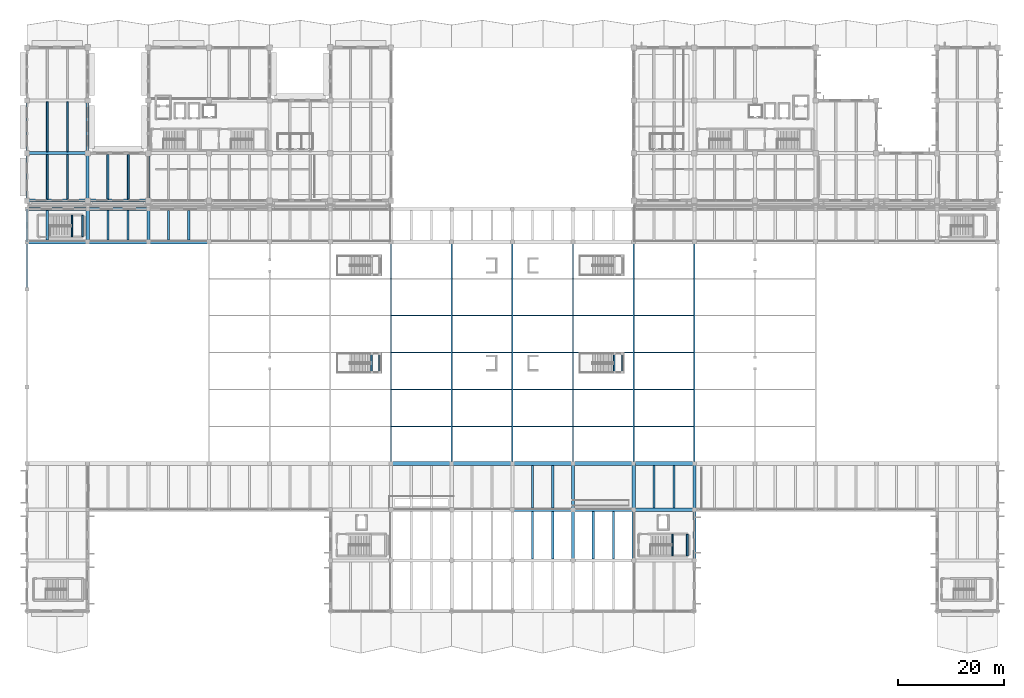
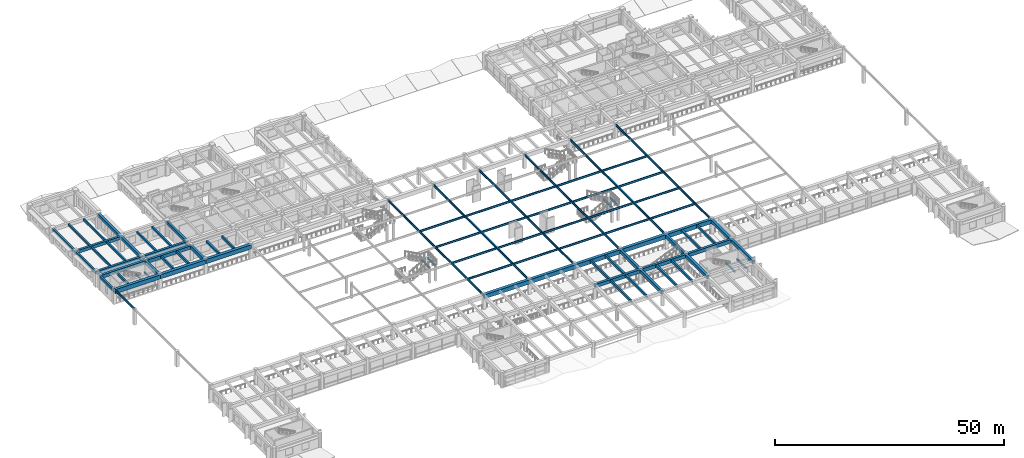
# One storey, part 19 of 98: 84 beams.
"""IFC4 building model written with IfcOpenShell, lengths in metres."""

from ifc_helpers import new_model, si_unit, direction, frame, origin, origin_2d, place, context, subcontext, project, spatial, rectangle, i_section, extrude, material, material_profile, profile_set, type_object, element, save


model = new_model("IFC4")

# Units and contexts
model_context = context("Model", 3, precision=1e-05, world=origin(), true_north=direction((0.0, 1.0)))
body_context = subcontext(model_context, "Body", "Model", "MODEL_VIEW")
ifc_project = project(units=[si_unit("LENGTHUNIT", "METRE"), si_unit("AREAUNIT", "SQUARE_METRE"), si_unit("VOLUMEUNIT", "CUBIC_METRE"), si_unit("PLANEANGLEUNIT", "RADIAN"), si_unit("MASSUNIT", "GRAM", prefix="KILO")], contexts=[model_context])

# Site, building, storey
site_placement = place(None, origin())
site = spatial("IfcSite", under=ifc_project, at=site_placement, CompositionType="ELEMENT")
building_placement = place(site_placement, origin())
building = spatial("IfcBuilding", under=site, at=building_placement, Name="Ologun Quay Terminus", CompositionType="ELEMENT")
storey_placement = place(building_placement, frame((0.0, 0.0, 4.199951171875)))
storey = spatial("IfcBuildingStorey", under=building, at=storey_placement, Name="L01", CompositionType="ELEMENT", Elevation=4.199951171875)

# Beams
ifc_material_1 = material(Name="Concrete C45/55", Category="concrete")
ifc_material_profile_1 = material_profile(ifc_material_1, rectangle(XDim=0.75, YDim=1.10009765625, at=origin_2d()), Name="RC 750x1100")
ifc_profile_set_1 = profile_set([ifc_material_profile_1], Name="Concrete C45/55")
beam_type_1 = type_object("IfcBeamType", Name="Concourse Primary Girder 750x1100", PredefinedType="BEAM", material=ifc_profile_set_1)
for number, where, z_axis, x_axis, name in (
    (1, (69.0, 36.0, 3.300048828125), (1.0, 0.0, 0.0), (0.0, 1.0, 0.0), "B2 Beam 7/E L01"),
    (2, (80.5, 36.0, 3.300048828125), (1.0, 0.0, 0.0), (0.0, 1.0, 0.0), "B2 Beam 8/E L01"),
    (3, (92.0, 36.0, 3.300048828125), (1.0, 0.0, 0.0), (0.0, 1.0, 0.0), "B2 Beam 9/E L01"),
    (4, (103.5, 36.0, 3.300048828125), (1.0, 0.0, 0.0), (0.0, 1.0, 0.0), "B2 Beam 10/E L01"),
    (5, (115.0, 36.0, 3.300048828125), (1.0, 0.0, 0.0), (0.0, 1.0, 0.0), "B2 Beam 11/E L01"),
    (6, (0.0, 78.0, 3.300048828125), (1.0, 0.0, 0.0), (0.0, 1.0, 0.0), "B2 Beam 1/F L01"),
    (7, (11.5, 78.0, 3.300048828125), (1.0, 0.0, 0.0), (0.0, 1.0, 0.0), "B2 Beam 2/F L01"),
    (8, (23.0, 78.0, 3.300048828125), (1.0, 0.0, 0.0), (0.0, 1.0, 0.0), "B2 Beam 3/F L01"),
):
    element("IfcBeam", number, at=place(storey_placement, frame(where, z_axis=z_axis, x_axis=x_axis)), inside=storey, type_object=beam_type_1, Name=name, PredefinedType="BEAM", context=body_context, shape_type="SweptSolid", body=[
        extrude(rectangle(XDim=0.75, YDim=1.10009765625, at=origin_2d()), origin(), (0.0, 0.0, 1.0), 11.5),
    ])
ifc_material_2 = material(Name="Steel S355", Category="steel")
ifc_material_profile_2 = material_profile(ifc_material_2, i_section(OverallWidth=0.209228515625, OverallDepth=0.533203125, WebThickness=0.010009765625, FlangeThickness=0.015625, at=origin_2d()), Name="UKB 533x210x92")
ifc_profile_set_2 = profile_set([ifc_material_profile_2], Name="Steel S355")
beam_type_2 = type_object("IfcBeamType", Name="Concourse Steel Secondary Beam UKB533", PredefinedType="BEAM", material=ifc_profile_set_2)
for number, where, z_axis, x_axis, name in (
    (9, (69.114013671875, 43.0, 3.58349609375), (1.0, 0.0, 0.0), (0.0, 1.0, 0.0), "SB2 Beam 7/E L01"),
    (10, (69.114013671875, 50.0, 3.58349609375), (1.0, 0.0, 0.0), (0.0, 1.0, 0.0), "SB2 Beam 7/E L01"),
    (11, (69.114013671875, 57.0, 3.58349609375), (1.0, 0.0, 0.0), (0.0, 1.0, 0.0), "SB2 Beam 7/E L01"),
    (12, (69.114013671875, 64.0, 3.58349609375), (1.0, 0.0, 0.0), (0.0, 1.0, 0.0), "SB2 Beam 7/E L01"),
    (13, (80.614013671875, 43.0, 3.58349609375), (1.0, 0.0, 0.0), (0.0, 1.0, 0.0), "SB2 Beam 8/E L01"),
    (14, (80.614013671875, 50.0, 3.58349609375), (1.0, 0.0, 0.0), (0.0, 1.0, 0.0), "SB2 Beam 8/E L01"),
    (15, (80.614013671875, 57.0, 3.58349609375), (1.0, 0.0, 0.0), (0.0, 1.0, 0.0), "SB2 Beam 8/E L01"),
    (16, (80.614013671875, 64.0, 3.58349609375), (1.0, 0.0, 0.0), (0.0, 1.0, 0.0), "SB2 Beam 8/E L01"),
    (17, (92.114013671875, 43.0, 3.58349609375), (1.0, 0.0, 0.0), (0.0, 1.0, 0.0), "SB2 Beam 9/E L01"),
    (18, (92.114013671875, 50.0, 3.58349609375), (1.0, 0.0, 0.0), (0.0, 1.0, 0.0), "SB2 Beam 9/E L01"),
    (19, (92.114013671875, 57.0, 3.58349609375), (1.0, 0.0, 0.0), (0.0, 1.0, 0.0), "SB2 Beam 9/E L01"),
    (20, (92.114013671875, 64.0, 3.58349609375), (1.0, 0.0, 0.0), (0.0, 1.0, 0.0), "SB2 Beam 9/E L01"),
    (21, (103.614013671875, 43.0, 3.58349609375), (1.0, 0.0, 0.0), (0.0, 1.0, 0.0), "SB2 Beam 10/E L01"),
    (22, (103.614013671875, 50.0, 3.58349609375), (1.0, 0.0, 0.0), (0.0, 1.0, 0.0), "SB2 Beam 10/E L01"),
    (23, (103.614013671875, 57.0, 3.58349609375), (1.0, 0.0, 0.0), (0.0, 1.0, 0.0), "SB2 Beam 10/E L01"),
    (24, (103.614013671875, 64.0, 3.58349609375), (1.0, 0.0, 0.0), (0.0, 1.0, 0.0), "SB2 Beam 10/E L01"),
    (25, (115.114013671875, 43.0, 3.58349609375), (1.0, 0.0, 0.0), (0.0, 1.0, 0.0), "SB2 Beam 11/E L01"),
    (26, (115.114013671875, 50.0, 3.58349609375), (1.0, 0.0, 0.0), (0.0, 1.0, 0.0), "SB2 Beam 11/E L01"),
    (27, (115.114013671875, 57.0, 3.58349609375), (1.0, 0.0, 0.0), (0.0, 1.0, 0.0), "SB2 Beam 11/E L01"),
    (28, (115.114013671875, 64.0, 3.58349609375), (1.0, 0.0, 0.0), (0.0, 1.0, 0.0), "SB2 Beam 11/E L01"),
):
    element("IfcBeam", number, at=place(storey_placement, frame(where, z_axis=z_axis, x_axis=x_axis)), inside=storey, type_object=beam_type_2, Name=name, PredefinedType="BEAM", context=body_context, shape_type="SweptSolid", body=[
        extrude(i_section(OverallWidth=0.209228515625, OverallDepth=0.533203125, WebThickness=0.010009765625, FlangeThickness=0.015625, at=origin_2d()), origin(), (0.0, 0.0, 1.0), 11.27197265625),
    ])
ifc_material_3 = material(Name="Steel S355", Category="steel")
ifc_material_profile_3 = material_profile(ifc_material_3, i_section(OverallWidth=0.228271484375, OverallDepth=0.607666015625, WebThickness=0.010986328125, FlangeThickness=0.017333984375, at=origin_2d()), Name="UKB 610x229x113")
ifc_profile_set_3 = profile_set([ifc_material_profile_3], Name="Steel S355")
beam_type_3 = type_object("IfcBeamType", Name="Concourse Steel Spine Girder UKB610", PredefinedType="BEAM", material=ifc_profile_set_3)
beam_1_placement = place(storey_placement, frame((0.0, 69.0, 3.896240234375), z_axis=(0.0, 1.0, 0.0), x_axis=(-1.0, 0.0, 0.0)))
element("IfcBeam", 29, at=beam_1_placement, inside=storey, type_object=beam_type_3, Name="SB1 Beam 1/E L01", PredefinedType="BEAM", context=body_context, shape_type="SweptSolid", body=[
    extrude(i_section(OverallWidth=0.228271484375, OverallDepth=0.607666015625, WebThickness=0.010986328125, FlangeThickness=0.017333984375, at=origin_2d()), origin(), (0.0, 0.0, 1.0), 9.0),
])
for number, where, z_axis, x_axis, name in (
    (30, (69.0, 36.0, 3.546142578125), (0.0, 1.0, 0.0), (-1.0, 0.0, 0.0), "SB1 Beam 7/E L01"),
    (31, (80.5, 36.0, 3.546142578125), (0.0, 1.0, 0.0), (-1.0, 0.0, 0.0), "SB1 Beam 8/E L01"),
    (32, (92.0, 36.0, 3.546142578125), (0.0, 1.0, 0.0), (-1.0, 0.0, 0.0), "SB1 Beam 9/E L01"),
    (33, (103.5, 36.0, 3.546142578125), (0.0, 1.0, 0.0), (-1.0, 0.0, 0.0), "SB1 Beam 10/E L01"),
    (34, (115.0, 36.0, 3.546142578125), (0.0, 1.0, 0.0), (-1.0, 0.0, 0.0), "SB1 Beam 11/E L01"),
    (35, (126.5, 36.0, 3.546142578125), (0.0, 1.0, 0.0), (-1.0, 0.0, 0.0), "SB1 Beam 12/E L01"),
):
    element("IfcBeam", number, at=place(storey_placement, frame(where, z_axis=z_axis, x_axis=x_axis)), inside=storey, type_object=beam_type_3, Name=name, PredefinedType="BEAM", context=body_context, shape_type="SweptSolid", body=[
        extrude(i_section(OverallWidth=0.228271484375, OverallDepth=0.607666015625, WebThickness=0.010986328125, FlangeThickness=0.017333984375, at=origin_2d()), origin(), (0.0, 0.0, 1.0), 42.0),
    ])
ifc_material_4 = material(Name="Concrete C40/50", Category="concrete")
ifc_material_profile_4 = material_profile(ifc_material_4, rectangle(XDim=0.300048828125, YDim=0.449951171875, at=origin_2d()), Name="RC 300x450")
ifc_profile_set_4 = profile_set([ifc_material_profile_4], Name="Concrete C40/50")
beam_type_4 = type_object("IfcBeamType", Name="Core Coupling Lintel Beam 300x450", PredefinedType="LINTEL", material=ifc_profile_set_4)
for number, where, z_axis, x_axis, name in (
    (36, (65.300048828125, 53.25, 1.695068359375), (0.0, 1.0, 0.0), (-1.0, 0.0, 0.0), "LN1 Beam 6/E L01"),
    (37, (66.85009765625, 53.25, 1.695068359375), (0.0, 1.0, 0.0), (-1.0, 0.0, 0.0), "LN1 Beam 6/E L01"),
    (38, (111.300048828125, 53.25, 1.695068359375), (0.0, 1.0, 0.0), (-1.0, 0.0, 0.0), "LN1 Beam 10/E L01"),
    (39, (112.85009765625, 53.25, 1.695068359375), (0.0, 1.0, 0.0), (-1.0, 0.0, 0.0), "LN1 Beam 10/E L01"),
):
    element("IfcBeam", number, at=place(storey_placement, frame(where, z_axis=z_axis, x_axis=x_axis)), inside=storey, type_object=beam_type_4, Name=name, PredefinedType="LINTEL", context=body_context, shape_type="SweptSolid", body=[
        extrude(rectangle(XDim=0.300048828125, YDim=0.449951171875, at=origin_2d()), origin(), (0.0, 0.0, 1.0), 3.5),
    ])
for number, where, z_axis, x_axis, name in (
    (40, (122.340087890625, 18.47998046875, 1.695068359375), (0.0, 1.0, 0.0), (-1.0, 0.0, 0.0), "LN1 Half-Landing Ledger Beam ST-S4-W L01"),
    (41, (125.159912109375, 18.47998046875, 1.695068359375), (0.0, 1.0, 0.0), (-1.0, 0.0, 0.0), "LN1 Half-Landing Ledger Beam ST-S4-E L01"),
    (42, (8.489990234375, 78.97998046875, 1.695068359375), (0.0, 1.0, 0.0), (-1.0, 0.0, 0.0), "LN1 Half-Landing Ledger Beam ST-NG1-W L01"),
    (43, (10.510009765625, 78.97998046875, 1.695068359375), (0.0, 1.0, 0.0), (-1.0, 0.0, 0.0), "LN1 Half-Landing Ledger Beam ST-NG1-E L01"),
):
    element("IfcBeam", number, at=place(storey_placement, frame(where, z_axis=z_axis, x_axis=x_axis)), inside=storey, type_object=beam_type_4, Name=name, PredefinedType="LINTEL", context=body_context, shape_type="SweptSolid", body=[
        extrude(rectangle(XDim=0.300048828125, YDim=0.449951171875, at=origin_2d()), origin(), (0.0, 0.0, 1.0), 4.0400390625),
    ])
ifc_material_5 = material(Name="Concrete C40/50", Category="concrete")
ifc_material_profile_5 = material_profile(ifc_material_5, rectangle(XDim=0.550048828125, YDim=0.800048828125, at=origin_2d()), Name="RC 550x800")
ifc_profile_set_5 = profile_set([ifc_material_profile_5], Name="Concrete C40/50")
beam_type_5 = type_object("IfcBeamType", Name="Courtyard Wing Primary Girder 550x800", PredefinedType="BEAM", material=ifc_profile_set_5)
for number, where, z_axis, x_axis, name in (
    (44, (0.0, 85.800048828125, 3.550048828125), (1.0, 0.0, 0.0), (0.0, 1.0, 0.0), "B4 Beam 1/G2 L01"),
    (45, (11.5, 85.800048828125, 3.550048828125), (1.0, 0.0, 0.0), (0.0, 1.0, 0.0), "B4 Beam 2/G2 L01"),
    (46, (0.0, 94.800048828125, 3.550048828125), (1.0, 0.0, 0.0), (0.0, 1.0, 0.0), "B4 Beam 1/H L01"),
):
    element("IfcBeam", number, at=place(storey_placement, frame(where, z_axis=z_axis, x_axis=x_axis)), inside=storey, type_object=beam_type_5, Name=name, PredefinedType="BEAM", context=body_context, shape_type="SweptSolid", body=[
        extrude(rectangle(XDim=0.550048828125, YDim=0.800048828125, at=origin_2d()), origin(), (0.0, 0.0, 1.0), 11.5),
    ])
beam_2_placement = place(storey_placement, frame((11.5, 85.800048828125, 3.550048828125), z_axis=(0.0, 1.0, 0.0), x_axis=(-1.0, 0.0, 0.0)))
element("IfcBeam", 47, at=beam_2_placement, inside=storey, type_object=beam_type_5, Name="B4 Beam 2/G2 L01", PredefinedType="BEAM", context=body_context, shape_type="SweptSolid", body=[
    extrude(rectangle(XDim=0.550048828125, YDim=0.800048828125, at=origin_2d()), origin(), (0.0, 0.0, 1.0), 9.0),
])
beam_3_placement = place(storey_placement, frame((11.5, 94.800048828125, 3.550048828125), z_axis=(0.0, 1.0, 0.0), x_axis=(-1.0, 0.0, 0.0)))
element("IfcBeam", 48, at=beam_3_placement, inside=storey, type_object=beam_type_5, Name="B4 Beam 2/H L01", PredefinedType="BEAM", context=body_context, shape_type="SweptSolid", body=[
    extrude(rectangle(XDim=0.550048828125, YDim=0.800048828125, at=origin_2d()), origin(), (0.0, 0.0, 1.0), 10.0),
])
beam_4_placement = place(storey_placement, frame((23.0, 85.800048828125, 3.550048828125), z_axis=(0.0, 1.0, 0.0), x_axis=(-1.0, 0.0, 0.0)))
element("IfcBeam", 49, at=beam_4_placement, inside=storey, type_object=beam_type_5, Name="B4 Beam 3/G2 L01", PredefinedType="BEAM", context=body_context, shape_type="SweptSolid", body=[
    extrude(rectangle(XDim=0.550048828125, YDim=0.800048828125, at=origin_2d()), origin(), (0.0, 0.0, 1.0), 9.0),
])
ifc_material_6 = material(Name="Concrete C40/50", Category="concrete")
ifc_material_profile_6 = material_profile(ifc_material_6, rectangle(XDim=0.35009765625, YDim=0.550048828125, at=origin_2d()), Name="RC 350x550")
ifc_profile_set_6 = profile_set([ifc_material_profile_6], Name="Concrete C40/50")
beam_type_6 = type_object("IfcBeamType", Name="Courtyard Wing Secondary Joist 350x550", PredefinedType="JOIST", material=ifc_profile_set_6)
for number, where, z_axis, x_axis, name in (
    (50, (3.833251953125, 86.074951171875, 3.675048828125), (0.0, 1.0, 0.0), (-1.0, 0.0, 0.0), "J2 Beam 1/G2 L01"),
    (51, (7.666748046875, 86.074951171875, 3.675048828125), (0.0, 1.0, 0.0), (-1.0, 0.0, 0.0), "J2 Beam 1/G2 L01"),
):
    element("IfcBeam", number, at=place(storey_placement, frame(where, z_axis=z_axis, x_axis=x_axis)), inside=storey, type_object=beam_type_6, Name=name, PredefinedType="JOIST", context=body_context, shape_type="SweptSolid", body=[
        extrude(rectangle(XDim=0.35009765625, YDim=0.550048828125, at=origin_2d()), origin(), (0.0, 0.0, 1.0), 8.449951171875),
    ])
for number, where, z_axis, x_axis, name in (
    (52, (3.833251953125, 95.074951171875, 3.675048828125), (0.0, 1.0, 0.0), (-1.0, 0.0, 0.0), "J2 Beam 1/H L01"),
    (53, (7.666748046875, 95.074951171875, 3.675048828125), (0.0, 1.0, 0.0), (-1.0, 0.0, 0.0), "J2 Beam 1/H L01"),
):
    element("IfcBeam", number, at=place(storey_placement, frame(where, z_axis=z_axis, x_axis=x_axis)), inside=storey, type_object=beam_type_6, Name=name, PredefinedType="JOIST", context=body_context, shape_type="SweptSolid", body=[
        extrude(rectangle(XDim=0.35009765625, YDim=0.550048828125, at=origin_2d()), origin(), (0.0, 0.0, 1.0), 9.449951171875),
    ])
for number, where, z_axis, x_axis, name in (
    (54, (15.333251953125, 86.074951171875, 3.675048828125), (0.0, 1.0, 0.0), (-1.0, 0.0, 0.0), "J2 Beam 2/G2 L01"),
    (55, (19.166748046875, 86.074951171875, 3.675048828125), (0.0, 1.0, 0.0), (-1.0, 0.0, 0.0), "J2 Beam 2/G2 L01"),
):
    element("IfcBeam", number, at=place(storey_placement, frame(where, z_axis=z_axis, x_axis=x_axis)), inside=storey, type_object=beam_type_6, Name=name, PredefinedType="JOIST", context=body_context, shape_type="SweptSolid", body=[
        extrude(rectangle(XDim=0.35009765625, YDim=0.550048828125, at=origin_2d()), origin(), (0.0, 0.0, 1.0), 8.449951171875),
    ])
ifc_material_7 = material(Name="Concrete C40/50", Category="concrete")
ifc_material_profile_7 = material_profile(ifc_material_7, rectangle(XDim=0.449951171875, YDim=0.699951171875, at=origin_2d()), Name="RC 450x700")
ifc_profile_set_7 = profile_set([ifc_material_profile_7], Name="Concrete C40/50")
beam_type_7 = type_object("IfcBeamType", Name="Perimeter Spandrel Beam 450x700", PredefinedType="SPANDREL", material=ifc_profile_set_7)
beam_5_placement = place(storey_placement, frame((0.0, 78.0, 3.5), z_axis=(0.0, 1.0, 0.0), x_axis=(-1.0, 0.0, 0.0)))
element("IfcBeam", 56, at=beam_5_placement, inside=storey, type_object=beam_type_7, Name="SP1 Beam 1/F L01", PredefinedType="SPANDREL", context=body_context, shape_type="SweptSolid", body=[
    extrude(rectangle(XDim=0.449951171875, YDim=0.699951171875, at=origin_2d()), origin(), (0.0, 0.0, 1.0), 6.199951171875),
])
beam_6_placement = place(storey_placement, frame((0.0, 85.800048828125, 3.60009765625), z_axis=(0.0, 1.0, 0.0), x_axis=(-1.0, 0.0, 0.0)))
element("IfcBeam", 57, at=beam_6_placement, inside=storey, type_object=beam_type_7, Name="SP1 Beam 1/G2 L01", PredefinedType="SPANDREL", context=body_context, shape_type="SweptSolid", body=[
    extrude(rectangle(XDim=0.449951171875, YDim=0.699951171875, at=origin_2d()), origin(), (0.0, 0.0, 1.0), 9.0),
])
beam_7_placement = place(storey_placement, frame((0.0, 94.800048828125, 3.60009765625), z_axis=(0.0, 1.0, 0.0), x_axis=(-1.0, 0.0, 0.0)))
element("IfcBeam", 58, at=beam_7_placement, inside=storey, type_object=beam_type_7, Name="SP1 Beam 1/H L01", PredefinedType="SPANDREL", context=body_context, shape_type="SweptSolid", body=[
    extrude(rectangle(XDim=0.449951171875, YDim=0.699951171875, at=origin_2d()), origin(), (0.0, 0.0, 1.0), 10.0),
])
ifc_material_8 = material(Name="Concrete C40/50", Category="concrete")
ifc_material_profile_8 = material_profile(ifc_material_8, rectangle(XDim=0.60009765625, YDim=0.89990234375, at=origin_2d()), Name="RC 600x900")
ifc_profile_set_8 = profile_set([ifc_material_profile_8], Name="Concrete C40/50")
beam_type_8 = type_object("IfcBeamType", Name="Station Frame Girder 600x900", PredefinedType="BEAM", material=ifc_profile_set_8)
for number, where, z_axis, x_axis, name in (
    (59, (92.0, 27.199951171875, 3.400146484375), (1.0, 0.0, 0.0), (0.0, 1.0, 0.0), "B3 Beam 9/D L01"),
    (60, (103.5, 27.199951171875, 3.400146484375), (1.0, 0.0, 0.0), (0.0, 1.0, 0.0), "B3 Beam 10/D L01"),
    (61, (115.0, 27.199951171875, 3.400146484375), (1.0, 0.0, 0.0), (0.0, 1.0, 0.0), "B3 Beam 11/D L01"),
    (62, (0.0, 84.199951171875, 3.400146484375), (1.0, 0.0, 0.0), (0.0, 1.0, 0.0), "B3 Beam 1/G1 L01"),
    (63, (11.5, 84.199951171875, 3.400146484375), (1.0, 0.0, 0.0), (0.0, 1.0, 0.0), "B3 Beam 2/G1 L01"),
):
    element("IfcBeam", number, at=place(storey_placement, frame(where, z_axis=z_axis, x_axis=x_axis)), inside=storey, type_object=beam_type_8, Name=name, PredefinedType="BEAM", context=body_context, shape_type="SweptSolid", body=[
        extrude(rectangle(XDim=0.60009765625, YDim=0.89990234375, at=origin_2d()), origin(), (0.0, 0.0, 1.0), 11.5),
    ])
for number, where, z_axis, x_axis, name in (
    (64, (11.5, 78.0, 3.400146484375), (0.0, 1.0, 0.0), (-1.0, 0.0, 0.0), "B3 Beam 2/F L01"),
    (65, (23.0, 78.0, 3.400146484375), (0.0, 1.0, 0.0), (-1.0, 0.0, 0.0), "B3 Beam 3/F L01"),
):
    element("IfcBeam", number, at=place(storey_placement, frame(where, z_axis=z_axis, x_axis=x_axis)), inside=storey, type_object=beam_type_8, Name=name, PredefinedType="BEAM", context=body_context, shape_type="SweptSolid", body=[
        extrude(rectangle(XDim=0.60009765625, YDim=0.89990234375, at=origin_2d()), origin(), (0.0, 0.0, 1.0), 6.199951171875),
    ])
beam_8_placement = place(storey_placement, frame((103.5, 17.60009765625, 3.400146484375), z_axis=(0.0, 1.0, 0.0), x_axis=(-1.0, 0.0, 0.0)))
element("IfcBeam", 66, at=beam_8_placement, inside=storey, type_object=beam_type_8, Name="B3 Beam 10/C L01", PredefinedType="BEAM", context=body_context, shape_type="SweptSolid", body=[
    extrude(rectangle(XDim=0.60009765625, YDim=0.89990234375, at=origin_2d()), origin(), (0.0, 0.0, 1.0), 9.599853515625),
])
beam_9_placement = place(storey_placement, frame((103.5, 27.199951171875, 3.400146484375), z_axis=(0.0, 1.0, 0.0), x_axis=(-1.0, 0.0, 0.0)))
element("IfcBeam", 67, at=beam_9_placement, inside=storey, type_object=beam_type_8, Name="B3 Beam 10/D L01", PredefinedType="BEAM", context=body_context, shape_type="SweptSolid", body=[
    extrude(rectangle(XDim=0.60009765625, YDim=0.89990234375, at=origin_2d()), origin(), (0.0, 0.0, 1.0), 8.800048828125),
])
beam_10_placement = place(storey_placement, frame((115.0, 17.60009765625, 3.400146484375), z_axis=(0.0, 1.0, 0.0), x_axis=(-1.0, 0.0, 0.0)))
element("IfcBeam", 68, at=beam_10_placement, inside=storey, type_object=beam_type_8, Name="B3 Beam 11/C L01", PredefinedType="BEAM", context=body_context, shape_type="SweptSolid", body=[
    extrude(rectangle(XDim=0.60009765625, YDim=0.89990234375, at=origin_2d()), origin(), (0.0, 0.0, 1.0), 9.599853515625),
])
beam_11_placement = place(storey_placement, frame((115.0, 27.199951171875, 3.400146484375), z_axis=(0.0, 1.0, 0.0), x_axis=(-1.0, 0.0, 0.0)))
element("IfcBeam", 69, at=beam_11_placement, inside=storey, type_object=beam_type_8, Name="B3 Beam 11/D L01", PredefinedType="BEAM", context=body_context, shape_type="SweptSolid", body=[
    extrude(rectangle(XDim=0.60009765625, YDim=0.89990234375, at=origin_2d()), origin(), (0.0, 0.0, 1.0), 8.800048828125),
])
beam_12_placement = place(storey_placement, frame((126.5, 17.60009765625, 3.400146484375), z_axis=(0.0, 1.0, 0.0), x_axis=(-1.0, 0.0, 0.0)))
element("IfcBeam", 70, at=beam_12_placement, inside=storey, type_object=beam_type_8, Name="B3 Beam 12/C L01", PredefinedType="BEAM", context=body_context, shape_type="SweptSolid", body=[
    extrude(rectangle(XDim=0.60009765625, YDim=0.89990234375, at=origin_2d()), origin(), (0.0, 0.0, 1.0), 9.599853515625),
])
beam_13_placement = place(storey_placement, frame((126.5, 27.199951171875, 3.400146484375), z_axis=(0.0, 1.0, 0.0), x_axis=(-1.0, 0.0, 0.0)))
element("IfcBeam", 71, at=beam_13_placement, inside=storey, type_object=beam_type_8, Name="B3 Beam 12/D L01", PredefinedType="BEAM", context=body_context, shape_type="SweptSolid", body=[
    extrude(rectangle(XDim=0.60009765625, YDim=0.89990234375, at=origin_2d()), origin(), (0.0, 0.0, 1.0), 8.800048828125),
])
ifc_material_9 = material(Name="Concrete C40/50", Category="concrete")
ifc_material_profile_9 = material_profile(ifc_material_9, rectangle(XDim=0.39990234375, YDim=0.64990234375, at=origin_2d()), Name="RC 400x650")
ifc_profile_set_9 = profile_set([ifc_material_profile_9], Name="Concrete C40/50")
beam_type_9 = type_object("IfcBeamType", Name="Station Secondary Joist 400x650", PredefinedType="JOIST", material=ifc_profile_set_9)
for number, where, z_axis, x_axis, name in (
    (72, (3.833251953125, 78.375, 3.525146484375), (0.0, 1.0, 0.0), (-1.0, 0.0, 0.0), "J1 Beam 1/F L01"),
    (73, (15.333251953125, 78.375, 3.525146484375), (0.0, 1.0, 0.0), (-1.0, 0.0, 0.0), "J1 Beam 2/F L01"),
    (74, (19.166748046875, 78.375, 3.525146484375), (0.0, 1.0, 0.0), (-1.0, 0.0, 0.0), "J1 Beam 2/F L01"),
    (75, (26.833251953125, 78.375, 3.525146484375), (0.0, 1.0, 0.0), (-1.0, 0.0, 0.0), "J1 Beam 3/F L01"),
    (76, (30.666748046875, 78.375, 3.525146484375), (0.0, 1.0, 0.0), (-1.0, 0.0, 0.0), "J1 Beam 3/F L01"),
):
    element("IfcBeam", number, at=place(storey_placement, frame(where, z_axis=z_axis, x_axis=x_axis)), inside=storey, type_object=beam_type_9, Name=name, PredefinedType="JOIST", context=body_context, shape_type="SweptSolid", body=[
        extrude(rectangle(XDim=0.39990234375, YDim=0.64990234375, at=origin_2d()), origin(), (0.0, 0.0, 1.0), 5.52490234375),
    ])
for number, where, z_axis, x_axis, name in (
    (77, (95.833251953125, 17.89990234375, 3.525146484375), (0.0, 1.0, 0.0), (-1.0, 0.0, 0.0), "J1 Beam 9/C L01"),
    (78, (99.666748046875, 17.89990234375, 3.525146484375), (0.0, 1.0, 0.0), (-1.0, 0.0, 0.0), "J1 Beam 9/C L01"),
):
    element("IfcBeam", number, at=place(storey_placement, frame(where, z_axis=z_axis, x_axis=x_axis)), inside=storey, type_object=beam_type_9, Name=name, PredefinedType="JOIST", context=body_context, shape_type="SweptSolid", body=[
        extrude(rectangle(XDim=0.39990234375, YDim=0.64990234375, at=origin_2d()), origin(), (0.0, 0.0, 1.0), 9.0),
    ])
for number, where, z_axis, x_axis, name in (
    (79, (95.833251953125, 27.5, 3.525146484375), (0.0, 1.0, 0.0), (-1.0, 0.0, 0.0), "J1 Beam 9/D L01"),
    (80, (99.666748046875, 27.5, 3.525146484375), (0.0, 1.0, 0.0), (-1.0, 0.0, 0.0), "J1 Beam 9/D L01"),
):
    element("IfcBeam", number, at=place(storey_placement, frame(where, z_axis=z_axis, x_axis=x_axis)), inside=storey, type_object=beam_type_9, Name=name, PredefinedType="JOIST", context=body_context, shape_type="SweptSolid", body=[
        extrude(rectangle(XDim=0.39990234375, YDim=0.64990234375, at=origin_2d()), origin(), (0.0, 0.0, 1.0), 8.125),
    ])
for number, where, z_axis, x_axis, name in (
    (81, (107.333251953125, 17.89990234375, 3.525146484375), (0.0, 1.0, 0.0), (-1.0, 0.0, 0.0), "J1 Beam 10/C L01"),
    (82, (111.166748046875, 17.89990234375, 3.525146484375), (0.0, 1.0, 0.0), (-1.0, 0.0, 0.0), "J1 Beam 10/C L01"),
):
    element("IfcBeam", number, at=place(storey_placement, frame(where, z_axis=z_axis, x_axis=x_axis)), inside=storey, type_object=beam_type_9, Name=name, PredefinedType="JOIST", context=body_context, shape_type="SweptSolid", body=[
        extrude(rectangle(XDim=0.39990234375, YDim=0.64990234375, at=origin_2d()), origin(), (0.0, 0.0, 1.0), 9.0),
    ])
for number, where, z_axis, x_axis, name in (
    (83, (118.833251953125, 27.5, 3.525146484375), (0.0, 1.0, 0.0), (-1.0, 0.0, 0.0), "J1 Beam 11/D L01"),
    (84, (122.666748046875, 27.5, 3.525146484375), (0.0, 1.0, 0.0), (-1.0, 0.0, 0.0), "J1 Beam 11/D L01"),
):
    element("IfcBeam", number, at=place(storey_placement, frame(where, z_axis=z_axis, x_axis=x_axis)), inside=storey, type_object=beam_type_9, Name=name, PredefinedType="JOIST", context=body_context, shape_type="SweptSolid", body=[
        extrude(rectangle(XDim=0.39990234375, YDim=0.64990234375, at=origin_2d()), origin(), (0.0, 0.0, 1.0), 8.125),
    ])

save(model, "model.ifc")
